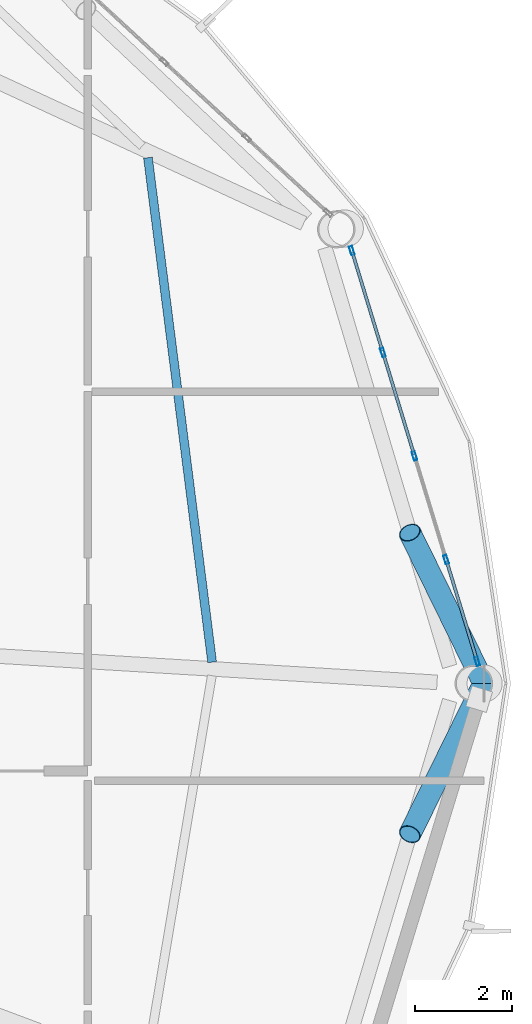
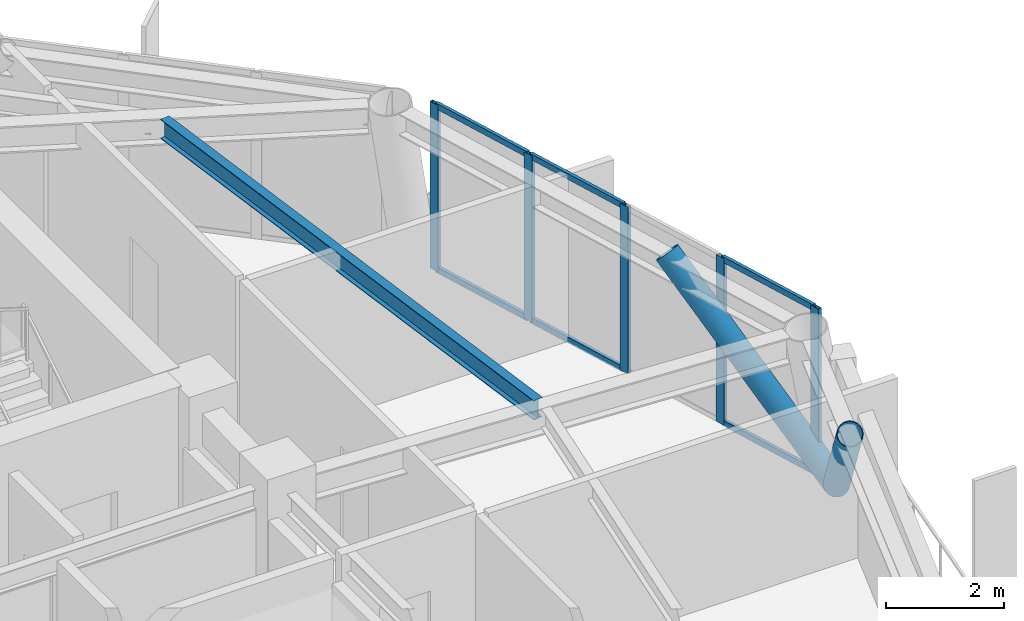
# One storey, part 16 of 26: 13 members, 1 beam, 1 element without a shape of its own.
"""IFC4 building model written with IfcOpenShell, lengths in metres."""

from ifc_helpers import new_model, si_unit, direction, frame, origin, origin_2d, place, context, subcontext, project, spatial, hollow_rectangle, hollow_circle, i_section, extrude, material, layer, layer_set, material_profile, profile_set, type_object, element, aggregate, save


model = new_model("IFC4")

# Units and contexts
model_context = context("Model", 3, precision=1e-05, world=origin(), true_north=direction((0.0, 1.0)))
body_context = subcontext(model_context, "Body", "Model", "MODEL_VIEW")
ifc_project = project(units=[si_unit("LENGTHUNIT", "METRE"), si_unit("AREAUNIT", "SQUARE_METRE"), si_unit("VOLUMEUNIT", "CUBIC_METRE"), si_unit("PLANEANGLEUNIT", "RADIAN"), si_unit("MASSUNIT", "GRAM", prefix="KILO")], contexts=[model_context])

# Site, building, storey
site_placement = place(None, origin())
site = spatial("IfcSite", under=ifc_project, at=site_placement, CompositionType="ELEMENT")
building_placement = place(site_placement, origin())
building = spatial("IfcBuilding", under=site, at=building_placement, Name="Varnakorn Sky Granary", CompositionType="ELEMENT")
storey_placement = place(building_placement, frame((0.0, 0.0, 169.5)))
storey = spatial("IfcBuildingStorey", under=building, at=storey_placement, Name="L42", CompositionType="ELEMENT", Elevation=169.5)

# Beam
ifc_material_1 = material(Name="Steel S355JR", Category="steel")
ifc_material_profile_1 = material_profile(ifc_material_1, i_section(OverallWidth=0.179931640625, OverallDepth=0.39990234375, WebThickness=0.008544921875, FlangeThickness=0.013427734375, at=origin_2d()), Name="IPE 400")
ifc_profile_set_1 = profile_set([ifc_material_profile_1], Name="Steel S355JR")
beam_type = type_object("IfcBeamType", Name="BM-SEC-Z3", PredefinedType="BEAM", material=ifc_profile_set_1)
beam_placement = place(storey_placement, frame((13.359375, 0.437255859375, 3.25), z_axis=(-0.126226299683, 0.992001472412, 0.0), x_axis=(-0.992001472412, -0.126226299683, 0.0)))
element("IfcBeam", 1, at=beam_placement, inside=storey, type_object=beam_type, Name="Secondary Floor Chord Beam MSB01 L42", PredefinedType="BEAM", context=body_context, shape_type="SweptSolid", body=[
    extrude(i_section(OverallWidth=0.179931640625, OverallDepth=0.39990234375, WebThickness=0.008544921875, FlangeThickness=0.013427734375, at=origin_2d()), origin(), (0.0, 0.0, 1.0), 10.4599609375),
])

# Curtain wall, members
ifc_material_2 = material(Name="Anodised Bronze Aluminium Alloy 6063-T6", Category="aluminium")
ifc_layer = layer(ifc_material_2, 0.179931640625, Name="Anodised Bronze Aluminium Alloy 6063-T6")
ifc_layer_set = layer_set([ifc_layer], Name="Anodised Bronze Aluminium Alloy 6063-T6")
curtain_wall_type = type_object("IfcCurtainWallType", Name="CW-FRM-2", PredefinedType="USERDEFINED", material=ifc_layer_set)
curtain_wall_placement = place(storey_placement, origin())
curtain_wall = element("IfcCurtainWall", 2, at=curtain_wall_placement, inside=storey, type_object=curtain_wall_type, Name="Unitised Curtain Wall CW4 CW-L42-B01", ObjectType="CURTAIN WALL", PredefinedType="USERDEFINED")
ifc_material_profile_2 = material_profile(ifc_material_2, hollow_rectangle(XDim=0.070068359375, YDim=0.18505859375, WallThickness=0.00390625, at=origin_2d()), Name="ALU MULL 70x185")
ifc_profile_set_2 = profile_set([ifc_material_profile_2], Name="Anodised Bronze Aluminium Alloy 6063-T6")
member_type_1 = type_object("IfcMemberType", Name="CW-FRM-2-MULL", PredefinedType="MULLION", material=ifc_profile_set_2)
member_1_placement = place(storey_placement, frame((16.232421875, 8.90234375, 0.0), z_axis=(0.0, 0.0, 1.0), x_axis=(0.956425926656, 0.291975079108, 0.0)))
member_1 = element("IfcMember", 3, at=member_1_placement, type_object=member_type_1, Name="CW4 mullion 1", PredefinedType="MULLION", context=body_context, shape_type="SweptSolid", body=[
    extrude(hollow_rectangle(XDim=0.070068359375, YDim=0.18505859375, WallThickness=0.00390625, at=origin_2d()), origin(), (0.0, 0.0, 1.0), 3.449951171875),
])
member_2_placement = place(storey_placement, frame((16.871826171875, 6.80712890625, 0.0), z_axis=(0.0, 0.0, 1.0), x_axis=(0.956425926656, 0.291975079108, 0.0)))
member_2 = element("IfcMember", 4, at=member_2_placement, type_object=member_type_1, Name="CW4 mullion 2", PredefinedType="MULLION", context=body_context, shape_type="SweptSolid", body=[
    extrude(hollow_rectangle(XDim=0.070068359375, YDim=0.18505859375, WallThickness=0.00390625, at=origin_2d()), origin(), (0.0, 0.0, 1.0), 3.449951171875),
])
member_3_placement = place(storey_placement, frame((17.521728515625, 4.6787109375, 0.0), z_axis=(0.0, 0.0, 1.0), x_axis=(0.956425926656, 0.291975079108, 0.0)))
member_3 = element("IfcMember", 5, at=member_3_placement, type_object=member_type_1, Name="CW4 mullion 3", PredefinedType="MULLION", context=body_context, shape_type="SweptSolid", body=[
    extrude(hollow_rectangle(XDim=0.070068359375, YDim=0.18505859375, WallThickness=0.00390625, at=origin_2d()), origin(), (0.0, 0.0, 1.0), 3.449951171875),
])
member_4_placement = place(storey_placement, frame((18.17138671875, 2.55029296875, 0.0), z_axis=(0.0, 0.0, 1.0), x_axis=(0.956425926656, 0.291975079108, 0.0)))
member_4 = element("IfcMember", 6, at=member_4_placement, type_object=member_type_1, Name="CW4 mullion 4", PredefinedType="MULLION", context=body_context, shape_type="SweptSolid", body=[
    extrude(hollow_rectangle(XDim=0.070068359375, YDim=0.18505859375, WallThickness=0.00390625, at=origin_2d()), origin(), (0.0, 0.0, 1.0), 3.449951171875),
])
member_5_placement = place(storey_placement, frame((18.81103515625, 0.455322265625, 0.0), z_axis=(0.0, 0.0, 1.0), x_axis=(0.956425926656, 0.291975079108, 0.0)))
member_5 = element("IfcMember", 7, at=member_5_placement, type_object=member_type_1, Name="CW4 mullion 5", PredefinedType="MULLION", context=body_context, shape_type="SweptSolid", body=[
    extrude(hollow_rectangle(XDim=0.070068359375, YDim=0.18505859375, WallThickness=0.00390625, at=origin_2d()), origin(), (0.0, 0.0, 1.0), 3.449951171875),
])
ifc_material_profile_3 = material_profile(ifc_material_2, hollow_rectangle(XDim=0.06494140625, YDim=0.1201171875, WallThickness=0.00341796875, at=origin_2d()), Name="ALU TRAN 65x120")
ifc_profile_set_3 = profile_set([ifc_material_profile_3], Name="Anodised Bronze Aluminium Alloy 6063-T6")
member_type_2 = type_object("IfcMemberType", Name="CW-FRM-2-TRAN", PredefinedType="USERDEFINED", material=ifc_profile_set_3)
member_6_placement = place(storey_placement, frame((16.242431640625, 8.86865234375, 0.032470703125), z_axis=(0.292013750218, -0.956414120391, 0.0), x_axis=(0.956414120391, 0.292013750218, 0.0)))
member_6 = element("IfcMember", 8, at=member_6_placement, type_object=member_type_2, Name="CW4 transom 1.1", ObjectType="TRANSOM", PredefinedType="USERDEFINED", context=body_context, shape_type="SweptSolid", body=[
    extrude(hollow_rectangle(XDim=0.06494140625, YDim=0.1201171875, WallThickness=0.00341796875, at=origin_2d()), origin(), (0.0, 0.0, 1.0), 2.120361328125),
])
member_7_placement = place(storey_placement, frame((16.242431640625, 8.86865234375, 3.41748046875), z_axis=(0.292013750218, -0.956414120391, 0.0), x_axis=(0.956414120391, 0.292013750218, 0.0)))
member_7 = element("IfcMember", 9, at=member_7_placement, type_object=member_type_2, Name="CW4 transom 1.2", ObjectType="TRANSOM", PredefinedType="USERDEFINED", context=body_context, shape_type="SweptSolid", body=[
    extrude(hollow_rectangle(XDim=0.06494140625, YDim=0.1201171875, WallThickness=0.00341796875, at=origin_2d()), origin(), (0.0, 0.0, 1.0), 2.120361328125),
])
member_8_placement = place(storey_placement, frame((16.882080078125, 6.773681640625, 0.032470703125), z_axis=(0.291999829396, -0.956418370606, 0.0), x_axis=(0.956418370606, 0.291999829396, 0.0)))
member_8 = element("IfcMember", 10, at=member_8_placement, type_object=member_type_2, Name="CW4 transom 2.1", ObjectType="TRANSOM", PredefinedType="USERDEFINED", context=body_context, shape_type="SweptSolid", body=[
    extrude(hollow_rectangle(XDim=0.06494140625, YDim=0.1201171875, WallThickness=0.00341796875, at=origin_2d()), origin(), (0.0, 0.0, 1.0), 2.155517578125),
])
member_9_placement = place(storey_placement, frame((16.882080078125, 6.773681640625, 3.41748046875), z_axis=(0.291999829396, -0.956418370606, 0.0), x_axis=(0.956418370606, 0.291999829396, 0.0)))
member_9 = element("IfcMember", 11, at=member_9_placement, type_object=member_type_2, Name="CW4 transom 2.2", ObjectType="TRANSOM", PredefinedType="USERDEFINED", context=body_context, shape_type="SweptSolid", body=[
    extrude(hollow_rectangle(XDim=0.06494140625, YDim=0.1201171875, WallThickness=0.00341796875, at=origin_2d()), origin(), (0.0, 0.0, 1.0), 2.155517578125),
])
member_10_placement = place(storey_placement, frame((18.181640625, 2.516845703125, 0.032470703125), z_axis=(0.291981594535, -0.95642393762, 0.0), x_axis=(0.95642393762, 0.291981594535, 0.0)))
member_10 = element("IfcMember", 12, at=member_10_placement, type_object=member_type_2, Name="CW4 transom 4.1", ObjectType="TRANSOM", PredefinedType="USERDEFINED", context=body_context, shape_type="SweptSolid", body=[
    extrude(hollow_rectangle(XDim=0.06494140625, YDim=0.1201171875, WallThickness=0.00341796875, at=origin_2d()), origin(), (0.0, 0.0, 1.0), 2.120361328125),
])
member_11_placement = place(storey_placement, frame((18.181640625, 2.516845703125, 3.41748046875), z_axis=(0.291981594535, -0.95642393762, 0.0), x_axis=(0.95642393762, 0.291981594535, 0.0)))
member_11 = element("IfcMember", 13, at=member_11_placement, type_object=member_type_2, Name="CW4 transom 4.2", ObjectType="TRANSOM", PredefinedType="USERDEFINED", context=body_context, shape_type="SweptSolid", body=[
    extrude(hollow_rectangle(XDim=0.06494140625, YDim=0.1201171875, WallThickness=0.00341796875, at=origin_2d()), origin(), (0.0, 0.0, 1.0), 2.120361328125),
])
aggregate(curtain_wall, [member_1, member_2, member_3, member_4, member_5, member_6, member_7, member_8, member_9, member_10, member_11])

# Members
ifc_material_3 = material(Name="Steel S460M", Category="steel")
ifc_material_profile_4 = material_profile(ifc_material_3, hollow_circle(Radius=0.228515625, WallThickness=0.01611328125, at=origin_2d()), Name="CHS 457x16")
ifc_profile_set_4 = profile_set([ifc_material_profile_4], Name="Steel S460M")
member_type_3 = type_object("IfcMemberType", Name="MB-DIAG-T3", PredefinedType="BRACE", material=ifc_profile_set_4)
for number, where, z_axis, x_axis, name in (
    (14, (18.949951171875, 0.0, 0.0), (-0.312315713849, 0.635228567796, 0.706359371382), (-0.897401306778, -0.441215247462, 0.0), "Perimeter CHS Diagrid Brace DG01 L42"),
    (15, (18.949951171875, 0.0, 0.0), (-0.312315713849, -0.635228567796, 0.706359371382), (0.897401306778, -0.441215247462, 0.0), "Perimeter CHS Diagrid Brace DG12 L42"),
):
    element("IfcMember", number, at=place(storey_placement, frame(where, z_axis=z_axis, x_axis=x_axis)), inside=storey, type_object=member_type_3, Name=name, PredefinedType="BRACE", context=body_context, shape_type="SweptSolid", body=[
        extrude(hollow_circle(Radius=0.228515625, WallThickness=0.01611328125, at=origin_2d()), origin(), (0.0, 0.0, 1.0), 4.884033203125),
    ])

save(model, "model.ifc")
